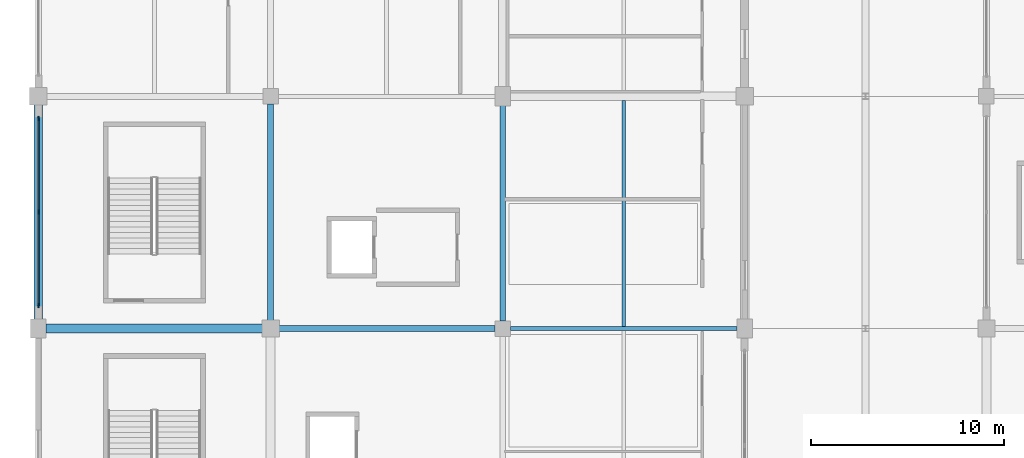
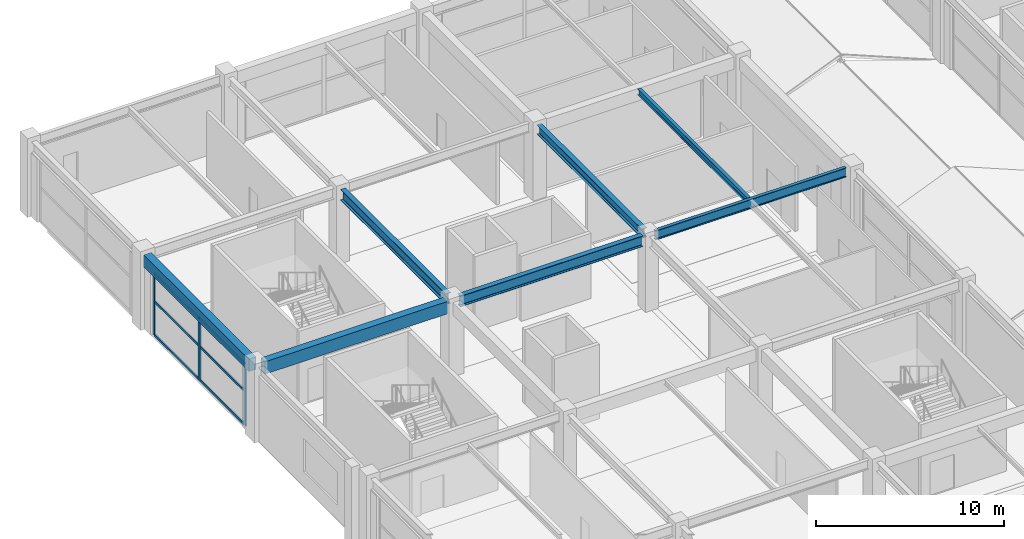
# One storey, part 45 of 116: 9 members, 7 beams, 1 element without a shape of its own.
"""IFC4 building model written with IfcOpenShell, lengths in metres."""

from ifc_helpers import new_model, si_unit, direction, frame, origin, origin_2d, place, context, subcontext, project, spatial, rectangle, i_section, extrude, material, layer, layer_set, material_profile, profile_set, type_object, element, aggregate, save


model = new_model("IFC4")

# Units and contexts
model_context = context("Model", 3, precision=1e-05, world=origin(), true_north=direction((0.0, 1.0)))
body_context = subcontext(model_context, "Body", "Model", "MODEL_VIEW")
ifc_project = project(units=[si_unit("LENGTHUNIT", "METRE"), si_unit("AREAUNIT", "SQUARE_METRE"), si_unit("VOLUMEUNIT", "CUBIC_METRE"), si_unit("PLANEANGLEUNIT", "RADIAN"), si_unit("MASSUNIT", "GRAM", prefix="KILO")], contexts=[model_context])

# Site, building, storey
site_placement = place(None, origin())
site = spatial("IfcSite", under=ifc_project, at=site_placement, CompositionType="ELEMENT")
building_placement = place(site_placement, origin())
building = spatial("IfcBuilding", under=site, at=building_placement, Name="Kazenohara Klinker Stadium", CompositionType="ELEMENT")
storey_placement = place(building_placement, frame((0.0, 0.0, 10.199951171875)))
storey = spatial("IfcBuildingStorey", under=building, at=storey_placement, Name="L02", CompositionType="ELEMENT", Elevation=10.199951171875)

# Beams
ifc_material_1 = material(Name="Steel S355", Category="steel")
ifc_material_profile_1 = material_profile(ifc_material_1, i_section(OverallWidth=0.199951171875, OverallDepth=0.39990234375, WebThickness=0.008056640625, FlangeThickness=0.012939453125, FilletRadius=0.012939453125, at=origin_2d()), Name="H-400x200x8x13")
ifc_profile_set_1 = profile_set([ifc_material_profile_1], Name="Steel S355")
beam_type_1 = type_object("IfcBeamType", Name="BM-JST03", PredefinedType="JOIST", material=ifc_profile_set_1)
beam_1_placement = place(storey_placement, frame((30.25, 144.10009765625, 4.6201171875), z_axis=(0.0, 1.0, 0.0), x_axis=(-1.0, 0.0, 0.0)))
element("IfcBeam", 1, at=beam_1_placement, inside=storey, type_object=beam_type_1, Name="Secondary floor joist SJ03 L02 3/N", PredefinedType="JOIST", context=body_context, shape_type="SweptSolid", body=[
    extrude(i_section(OverallWidth=0.199951171875, OverallDepth=0.39990234375, WebThickness=0.008056640625, FlangeThickness=0.012939453125, FilletRadius=0.012939453125, at=origin_2d()), origin(), (0.0, 0.0, 1.0), 11.6748046875),
])
ifc_material_2 = material(Name="Concrete C40/50", Category="concrete")
ifc_material_profile_2 = material_profile(ifc_material_2, rectangle(XDim=0.449951171875, YDim=0.800048828125, at=origin_2d()), Name="RC-BM-450x800")
ifc_profile_set_2 = profile_set([ifc_material_profile_2], Name="Concrete C40/50")
beam_type_2 = type_object("IfcBeamType", Name="BM-RC03", PredefinedType="BEAM", material=ifc_profile_set_2)
beam_2_placement = place(storey_placement, frame((0.39990234375, 144.0, 4.420166015625), z_axis=(1.0, 0.0, 0.0), x_axis=(0.0, 1.0, 0.0)))
element("IfcBeam", 2, at=beam_2_placement, inside=storey, type_object=beam_type_2, Name="Primary girder BG03 L02 1-2/N", PredefinedType="BEAM", context=body_context, shape_type="SweptSolid", body=[
    extrude(rectangle(XDim=0.449951171875, YDim=0.800048828125, at=origin_2d()), origin(), (0.0, 0.0, 1.0), 11.18017578125),
])
beam_3_placement = place(storey_placement, frame((0.0, 144.419921875, 4.420166015625), z_axis=(0.0, 1.0, 0.0), x_axis=(-1.0, 0.0, 0.0)))
element("IfcBeam", 3, at=beam_3_placement, inside=storey, type_object=beam_type_2, Name="Primary girder BG03 L02 1/N-P", PredefinedType="BEAM", context=body_context, shape_type="SweptSolid", body=[
    extrude(rectangle(XDim=0.449951171875, YDim=0.800048828125, at=origin_2d()), origin(), (0.0, 0.0, 1.0), 11.16015625),
])
ifc_material_profile_3 = material_profile(ifc_material_1, i_section(OverallWidth=0.300048828125, OverallDepth=0.699951171875, WebThickness=0.012939453125, FlangeThickness=0.02392578125, FilletRadius=0.02197265625, at=origin_2d()), Name="H-700x300x13x24")
ifc_profile_set_3 = profile_set([ifc_material_profile_3], Name="Steel S355")
beam_type_3 = type_object("IfcBeamType", Name="BM-ST03", PredefinedType="BEAM", material=ifc_profile_set_3)
for number, where, z_axis, x_axis, name in (
    (4, (12.419921875, 144.0, 4.469970703125), (1.0, 0.0, 0.0), (0.0, 1.0, 0.0), "Primary girder SB03 L02 2-3/N"),
    (5, (12.0, 144.419921875, 4.469970703125), (0.0, 1.0, 0.0), (-1.0, 0.0, 0.0), "Primary girder SB03 L02 2/N-P"),
):
    element("IfcBeam", number, at=place(storey_placement, frame(where, z_axis=z_axis, x_axis=x_axis)), inside=storey, type_object=beam_type_3, Name=name, PredefinedType="BEAM", context=body_context, shape_type="SweptSolid", body=[
        extrude(i_section(OverallWidth=0.300048828125, OverallDepth=0.699951171875, WebThickness=0.012939453125, FlangeThickness=0.02392578125, FilletRadius=0.02197265625, at=origin_2d()), origin(), (0.0, 0.0, 1.0), 11.18017578125),
    ])
ifc_material_profile_4 = material_profile(ifc_material_1, i_section(OverallWidth=0.199951171875, OverallDepth=0.60009765625, WebThickness=0.010986328125, FlangeThickness=0.01708984375, FilletRadius=0.012939453125, at=origin_2d()), Name="H-600x200x11x17")
ifc_profile_set_4 = profile_set([ifc_material_profile_4], Name="Steel S355")
beam_type_4 = type_object("IfcBeamType", Name="BM-ST04", PredefinedType="BEAM", material=ifc_profile_set_4)
beam_4_placement = place(storey_placement, frame((24.39990234375, 144.0, 4.52001953125), z_axis=(1.0, 0.0, 0.0), x_axis=(0.0, 1.0, 0.0)))
element("IfcBeam", 6, at=beam_4_placement, inside=storey, type_object=beam_type_4, Name="Primary girder SB04 L02 3-4/N", PredefinedType="BEAM", context=body_context, shape_type="SweptSolid", body=[
    extrude(i_section(OverallWidth=0.199951171875, OverallDepth=0.60009765625, WebThickness=0.010986328125, FlangeThickness=0.01708984375, FilletRadius=0.012939453125, at=origin_2d()), origin(), (0.0, 0.0, 1.0), 11.7001953125),
])
ifc_material_profile_5 = material_profile(ifc_material_1, i_section(OverallWidth=0.300048828125, OverallDepth=0.587890625, WebThickness=0.011962890625, FlangeThickness=0.02001953125, FilletRadius=0.02197265625, at=origin_2d()), Name="H-588x300x12x20")
ifc_profile_set_5 = profile_set([ifc_material_profile_5], Name="Steel S355")
beam_type_5 = type_object("IfcBeamType", Name="BM-ST05", PredefinedType="BEAM", material=ifc_profile_set_5)
beam_5_placement = place(storey_placement, frame((24.0, 144.39990234375, 4.526123046875), z_axis=(0.0, 1.0, 0.0), x_axis=(-1.0, 0.0, 0.0)))
element("IfcBeam", 7, at=beam_5_placement, inside=storey, type_object=beam_type_5, Name="Primary girder SB05 L02 3/N-P", PredefinedType="BEAM", context=body_context, shape_type="SweptSolid", body=[
    extrude(i_section(OverallWidth=0.300048828125, OverallDepth=0.587890625, WebThickness=0.011962890625, FlangeThickness=0.02001953125, FilletRadius=0.02197265625, at=origin_2d()), origin(), (0.0, 0.0, 1.0), 11.18017578125),
])

# Curtain wall, members
ifc_material_3 = material(Name="Anodised aluminium and triple glazing", Category="aluminium")
ifc_layer = layer(ifc_material_3, 0.179931640625)
ifc_layer_set = layer_set([ifc_layer], Name="Anodised aluminium and triple glazing")
curtain_wall_type = type_object("IfcCurtainWallType", Name="CW-SYS-02", PredefinedType="USERDEFINED", material=ifc_layer_set)
curtain_wall_placement = place(storey_placement, origin())
curtain_wall = element("IfcCurtainWall", 8, at=curtain_wall_placement, inside=storey, type_object=curtain_wall_type, Name="Unitised facade curtain wall CW02 L02 Y0-12", ObjectType="UNITISED CURTAIN WALL", PredefinedType="USERDEFINED")
ifc_material_4 = material(Name="Anodised aluminium 6063-T6", Category="aluminium")
ifc_material_profile_6 = material_profile(ifc_material_4, rectangle(XDim=0.074951171875, YDim=0.219970703125, at=origin_2d()), Name="ALU-MUL-75x220")
ifc_profile_set_6 = profile_set([ifc_material_profile_6], Name="Anodised aluminium 6063-T6")
member_type_1 = type_object("IfcMemberType", Name="CW-MUL-220", PredefinedType="MULLION", material=ifc_profile_set_6)
member_1_placement = place(storey_placement, frame((0.0, 145.19140625, 0.0), z_axis=(0.0, 0.0, 1.0), x_axis=(-1.0, 0.0, 0.0)))
member_1 = element("IfcMember", 9, at=member_1_placement, type_object=member_type_1, Name="CW02 mullion 1", PredefinedType="MULLION", context=body_context, shape_type="SweptSolid", body=[
    extrude(rectangle(XDim=0.074951171875, YDim=0.219970703125, at=origin_2d()), origin(), (0.0, 0.0, 1.0), 4.02001953125),
])
member_2_placement = place(storey_placement, frame((0.0, 150.02490234375, 0.0), z_axis=(0.0, 0.0, 1.0), x_axis=(-1.0, 0.0, 0.0)))
member_2 = element("IfcMember", 10, at=member_2_placement, type_object=member_type_1, Name="CW02 mullion 2", PredefinedType="MULLION", context=body_context, shape_type="SweptSolid", body=[
    extrude(rectangle(XDim=0.074951171875, YDim=0.219970703125, at=origin_2d()), origin(), (0.0, 0.0, 1.0), 4.02001953125),
])
member_3_placement = place(storey_placement, frame((0.0, 154.8583984375, 0.0), z_axis=(0.0, 0.0, 1.0), x_axis=(-1.0, 0.0, 0.0)))
member_3 = element("IfcMember", 11, at=member_3_placement, type_object=member_type_1, Name="CW02 mullion 3", PredefinedType="MULLION", context=body_context, shape_type="SweptSolid", body=[
    extrude(rectangle(XDim=0.074951171875, YDim=0.219970703125, at=origin_2d()), origin(), (0.0, 0.0, 1.0), 4.02001953125),
])
ifc_material_profile_7 = material_profile(ifc_material_4, rectangle(XDim=0.074951171875, YDim=0.159912109375, at=origin_2d()), Name="ALU-TRN-75x160")
ifc_profile_set_7 = profile_set([ifc_material_profile_7], Name="Anodised aluminium 6063-T6")
member_type_2 = type_object("IfcMemberType", Name="CW-TRN-160", PredefinedType="USERDEFINED", material=ifc_profile_set_7)
member_4_placement = place(storey_placement, frame((0.0, 145.22900390625, 0.03759765625), z_axis=(0.0, 1.0, 0.0), x_axis=(-1.0, 0.0, 0.0)))
member_4 = element("IfcMember", 12, at=member_4_placement, type_object=member_type_2, Name="CW02 transom 1.1", ObjectType="TRANSOM", PredefinedType="USERDEFINED", context=body_context, shape_type="SweptSolid", body=[
    extrude(rectangle(XDim=0.074951171875, YDim=0.159912109375, at=origin_2d()), origin(), (0.0, 0.0, 1.0), 4.758544921875),
])
member_5_placement = place(storey_placement, frame((0.0, 145.22900390625, 2.2109375), z_axis=(0.0, 1.0, 0.0), x_axis=(-1.0, 0.0, 0.0)))
member_5 = element("IfcMember", 13, at=member_5_placement, type_object=member_type_2, Name="CW02 transom 1.2", ObjectType="TRANSOM", PredefinedType="USERDEFINED", context=body_context, shape_type="SweptSolid", body=[
    extrude(rectangle(XDim=0.074951171875, YDim=0.159912109375, at=origin_2d()), origin(), (0.0, 0.0, 1.0), 4.758544921875),
])
member_6_placement = place(storey_placement, frame((0.0, 145.22900390625, 3.982666015625), z_axis=(0.0, 1.0, 0.0), x_axis=(-1.0, 0.0, 0.0)))
member_6 = element("IfcMember", 14, at=member_6_placement, type_object=member_type_2, Name="CW02 transom 1.3", ObjectType="TRANSOM", PredefinedType="USERDEFINED", context=body_context, shape_type="SweptSolid", body=[
    extrude(rectangle(XDim=0.074951171875, YDim=0.159912109375, at=origin_2d()), origin(), (0.0, 0.0, 1.0), 4.758544921875),
])
member_7_placement = place(storey_placement, frame((0.0, 150.0625, 0.03759765625), z_axis=(0.0, 1.0, 0.0), x_axis=(-1.0, 0.0, 0.0)))
member_7 = element("IfcMember", 15, at=member_7_placement, type_object=member_type_2, Name="CW02 transom 2.1", ObjectType="TRANSOM", PredefinedType="USERDEFINED", context=body_context, shape_type="SweptSolid", body=[
    extrude(rectangle(XDim=0.074951171875, YDim=0.159912109375, at=origin_2d()), origin(), (0.0, 0.0, 1.0), 4.758544921875),
])
member_8_placement = place(storey_placement, frame((0.0, 150.0625, 2.2109375), z_axis=(0.0, 1.0, 0.0), x_axis=(-1.0, 0.0, 0.0)))
member_8 = element("IfcMember", 16, at=member_8_placement, type_object=member_type_2, Name="CW02 transom 2.2", ObjectType="TRANSOM", PredefinedType="USERDEFINED", context=body_context, shape_type="SweptSolid", body=[
    extrude(rectangle(XDim=0.074951171875, YDim=0.159912109375, at=origin_2d()), origin(), (0.0, 0.0, 1.0), 4.758544921875),
])
member_9_placement = place(storey_placement, frame((0.0, 150.0625, 3.982666015625), z_axis=(0.0, 1.0, 0.0), x_axis=(-1.0, 0.0, 0.0)))
member_9 = element("IfcMember", 17, at=member_9_placement, type_object=member_type_2, Name="CW02 transom 2.3", ObjectType="TRANSOM", PredefinedType="USERDEFINED", context=body_context, shape_type="SweptSolid", body=[
    extrude(rectangle(XDim=0.074951171875, YDim=0.159912109375, at=origin_2d()), origin(), (0.0, 0.0, 1.0), 4.758544921875),
])
aggregate(curtain_wall, [member_1, member_2, member_3, member_4, member_5, member_6, member_7, member_8, member_9])

save(model, "model.ifc")
